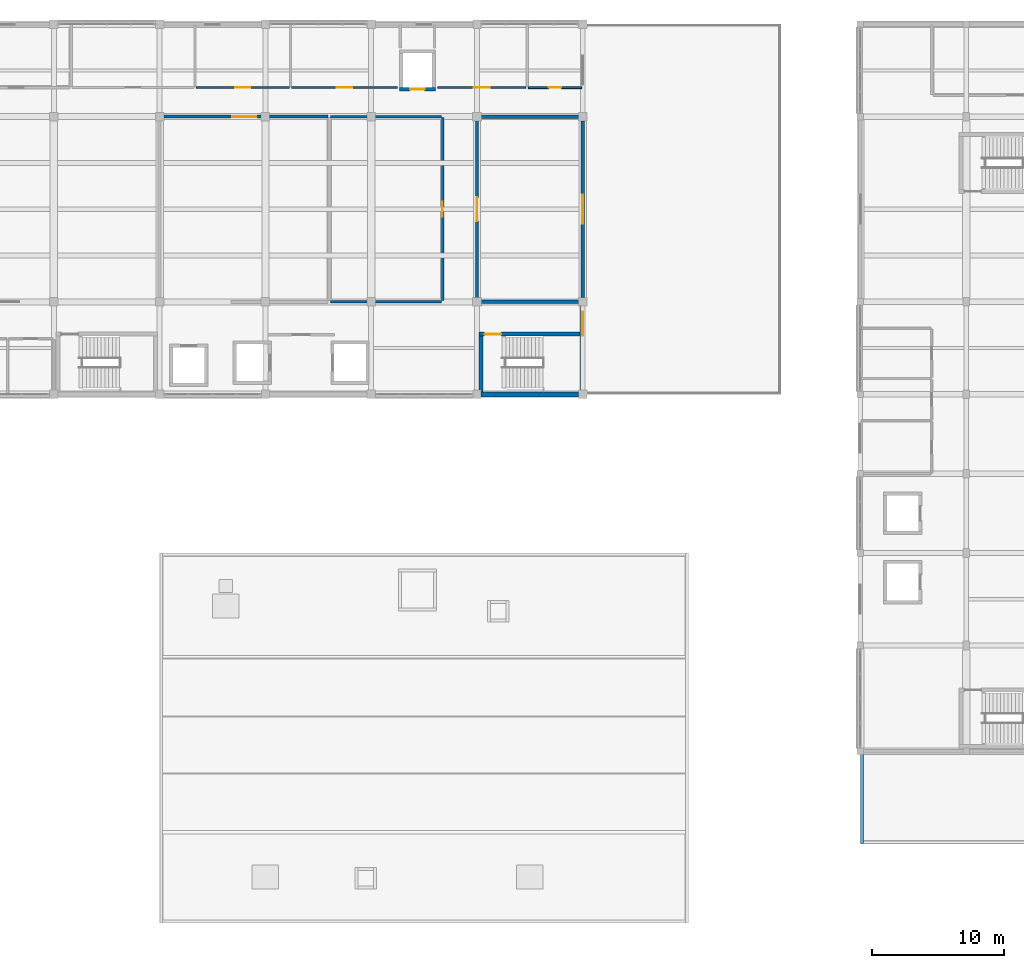
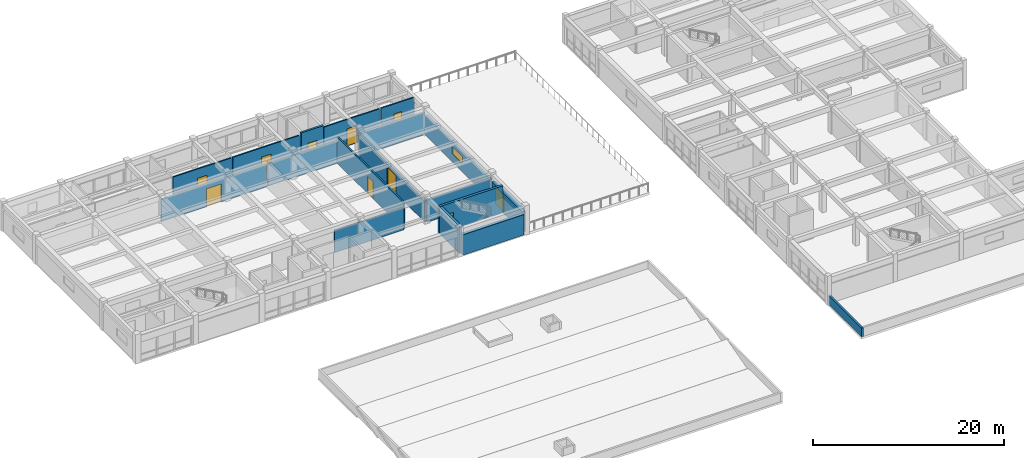
# One storey, part 12 of 22: 18 walls, 10 doors, 1 window, 11 openings.
"""IFC4 building model written with IfcOpenShell, lengths in metres."""

from ifc_helpers import new_model, si_unit, direction, frame, frame_2d, origin, place, context, subcontext, project, spatial, rectangle, extrude, material, layer, layer_set, type_object, element, fill, save


model = new_model("IFC4")

# Units and contexts
model_context = context("Model", 3, precision=1e-05, world=origin(), true_north=direction((0.0, 1.0)))
body_context = subcontext(model_context, "Body", "Model", "MODEL_VIEW")
ifc_project = project(units=[si_unit("LENGTHUNIT", "METRE"), si_unit("AREAUNIT", "SQUARE_METRE"), si_unit("VOLUMEUNIT", "CUBIC_METRE"), si_unit("PLANEANGLEUNIT", "RADIAN"), si_unit("MASSUNIT", "GRAM", prefix="KILO")], contexts=[model_context])

# Site, building, storey
site_placement = place(None, origin())
site = spatial("IfcSite", under=ifc_project, at=site_placement, CompositionType="ELEMENT")
building_placement = place(site_placement, origin())
building = spatial("IfcBuilding", under=site, at=building_placement, Name="Naurynzar Civic Courthouse", CompositionType="ELEMENT")
storey_placement = place(building_placement, frame((0.0, 0.0, 25.800048828125)))
storey = spatial("IfcBuildingStorey", under=building, at=storey_placement, Name="L07", CompositionType="ELEMENT", Elevation=25.800048828125)

# Wall, opening, door
ifc_material_1 = material(Name="Acoustic Double-Stud Gypsum Partition")
ifc_layer_1 = layer(ifc_material_1, 0.22998046875)
ifc_layer_set_1 = layer_set([ifc_layer_1], Name="WL-ACOUSTIC-230")
wall_type_1 = type_object("IfcWallType", Name="WL-ACOUSTIC-230", PredefinedType="PARTITIONING", material=ifc_layer_set_1)
wall_1_placement = place(storey_placement, frame((77.070068359375, 65.0, 0.0), z_axis=(0.0, 0.0, 1.0), x_axis=(1.0, 0.0, 0.0)))
wall_1 = element("IfcWall", 1, at=wall_1_placement, inside=storey, type_object=wall_type_1, Name="V2 interior partition L07.733", PredefinedType="PARTITIONING", context=body_context, shape_type="SweptSolid", body=[
    extrude(rectangle(XDim=12.679931640625, YDim=0.22998046875, at=frame_2d((6.33984375, 0.0))), origin(), (0.0, 0.0, 1.0), 2.820068359375),
])
opening_1_placement = place(wall_1_placement, frame((5.43994140625, 0.0, 0.0)))
opening_1 = element("IfcOpeningElement", 2, at=opening_1_placement, cuts=wall_1, Name="Opening D-178", PredefinedType="OPENING", context=body_context, shape_type="SweptSolid", body=[
    extrude(rectangle(XDim=1.800048828125, YDim=2.300048828125, at=frame_2d((0.89990234375, 1.14990234375))), frame((0.0, 0.125, 0.0), z_axis=(0.0, -1.0, 0.0), x_axis=(1.0, 0.0, 0.0)), (0.0, 0.0, 1.0), 0.25),
])
ifc_material_2 = material(Name="Acoustic Oak Timber Grade A", Category="wood")
door_type_1 = type_object("IfcDoorType", Name="DR-COURT-DBL-1800x2300", OperationType="DOUBLE_DOOR_SINGLE_SWING", PredefinedType="DOOR", material=ifc_material_2)
door_1_placement = place(opening_1_placement, origin())
door_1 = element("IfcDoor", 3, at=door_1_placement, inside=storey, type_object=door_type_1, Name="Interior door D-178 (Economic Courtroom 7B)", OperationType="DOUBLE_DOOR_SINGLE_SWING", OverallHeight=2.300048828125, OverallWidth=1.800048828125, PredefinedType="DOOR", context=body_context, shape_type="SweptSolid", body=[
    extrude(rectangle(XDim=1.800048828125, YDim=2.300048828125, at=frame_2d((0.89990234375, 1.14990234375))), frame((0.0, 0.02490234375, 0.0), z_axis=(0.0, -1.0, 0.0), x_axis=(1.0, 0.0, 0.0)), (0.0, 0.0, 1.0), 0.050048828125),
])
fill(opening_1, door_1)

# Walls
ifc_material_3 = material(Name="Acoustic Double-Stud Gypsum Partition")
ifc_layer_2 = layer(ifc_material_3, 0.2451171875)
ifc_layer_set_2 = layer_set([ifc_layer_2], Name="WL-ACOUSTIC-245")
wall_type_2 = type_object("IfcWallType", Name="WL-ACOUSTIC-245", PredefinedType="PARTITIONING", material=ifc_layer_set_2)
for number, where, z_axis, x_axis, name in (
    (4, (101.080078125, 51.0, 0.0), (0.0, 0.0, 1.0), (1.0, 0.0, 0.0), "V2 interior partition L07.729"),
    (5, (101.080078125, 65.0, 0.0), (0.0, 0.0, 1.0), (1.0, 0.0, 0.0), "V2 interior partition L07.735"),
):
    element("IfcWall", number, at=place(storey_placement, frame(where, z_axis=z_axis, x_axis=x_axis)), inside=storey, type_object=wall_type_2, Name=name, PredefinedType="PARTITIONING", context=body_context, shape_type="SweptSolid", body=[
        extrude(rectangle(XDim=7.83984375, YDim=0.2451171875, at=frame_2d((3.919921875, 0.0))), origin(), (0.0, 0.0, 1.0), 2.820068359375),
    ])

# Wall, opening, door
wall_2_placement = place(storey_placement, frame((101.0, 51.080078125, 0.0), z_axis=(0.0, 0.0, 1.0), x_axis=(0.0, 1.0, 0.0)))
wall_2 = element("IfcWall", 6, at=wall_2_placement, inside=storey, type_object=wall_type_2, Name="V2 interior partition L07.754", PredefinedType="PARTITIONING", context=body_context, shape_type="SweptSolid", body=[
    extrude(rectangle(XDim=13.83984375, YDim=0.2451171875, at=frame_2d((6.919921875, 0.0))), origin(), (0.0, 0.0, 1.0), 2.619873046875),
])
opening_2_placement = place(wall_2_placement, frame((6.02001953125, 0.0, 0.0)))
opening_2 = element("IfcOpeningElement", 7, at=opening_2_placement, cuts=wall_2, Name="Opening D-180", PredefinedType="OPENING", context=body_context, shape_type="SweptSolid", body=[
    extrude(rectangle(XDim=1.800048828125, YDim=2.300048828125, at=frame_2d((0.89990234375, 1.14990234375))), frame((0.0, 0.132568359375, 0.0), z_axis=(0.0, -1.0, 0.0), x_axis=(1.0, 0.0, 0.0)), (0.0, 0.0, 1.0), 0.26513671875),
])
door_2_placement = place(opening_2_placement, origin())
door_2 = element("IfcDoor", 8, at=door_2_placement, inside=storey, type_object=door_type_1, Name="Interior door D-180 (Civil Chamber Courtroom L07-E)", OperationType="DOUBLE_DOOR_SINGLE_SWING", OverallHeight=2.300048828125, OverallWidth=1.800048828125, PredefinedType="DOOR", context=body_context, shape_type="SweptSolid", body=[
    extrude(rectangle(XDim=1.800048828125, YDim=2.300048828125, at=frame_2d((0.89990234375, 1.14990234375))), frame((0.0, 0.02490234375, 0.0), z_axis=(0.0, -1.0, 0.0), x_axis=(1.0, 0.0, 0.0)), (0.0, 0.0, 1.0), 0.050048828125),
])
fill(opening_2, door_2)

ifc_material_4 = material(Name="Concrete C40/50", Category="concrete")
ifc_layer_3 = layer(ifc_material_4, 0.300048828125)
ifc_layer_set_3 = layer_set([ifc_layer_3], Name="WL-CORE-300")
wall_type_3 = type_object("IfcWallType", Name="WL-CORE-300", PredefinedType="SHEAR", material=ifc_layer_set_3)
wall_3_placement = place(storey_placement, frame((108.804931640625, 48.550048828125, 0.0), z_axis=(0.0, 0.0, 1.0), x_axis=(-1.0, 0.0, 0.0)))
wall_3 = element("IfcWall", 9, at=wall_3_placement, inside=storey, type_object=wall_type_3, Name="Stair ST-V2B enclosure wall north L07", PredefinedType="SHEAR", context=body_context, shape_type="SweptSolid", body=[
    extrude(rectangle(XDim=7.655029296875, YDim=0.300048828125, at=frame_2d((3.82763671875, 0.0))), origin(), (0.0, 0.0, 1.0), 3.469970703125),
])
opening_3_placement = place(wall_3_placement, frame((5.97998046875, 0.0, 0.0)))
opening_3 = element("IfcOpeningElement", 10, at=opening_3_placement, cuts=wall_3, Name="Opening SD-041", PredefinedType="OPENING", context=body_context, shape_type="SweptSolid", body=[
    extrude(rectangle(XDim=1.25, YDim=2.14990234375, at=frame_2d((0.625, 1.074951171875))), frame((0.0, 0.159912109375, 0.0), z_axis=(0.0, -1.0, 0.0), x_axis=(1.0, 0.0, 0.0)), (0.0, 0.0, 1.0), 0.320068359375),
])
ifc_material_5 = material(Name="Powder-Coated Galvanised Steel", Category="steel")
door_type_2 = type_object("IfcDoorType", Name="DR-STAIR-1250x2150", OperationType="NOTDEFINED", PredefinedType="DOOR", material=ifc_material_5)
door_3_placement = place(opening_3_placement, origin())
door_3 = element("IfcDoor", 11, at=door_3_placement, inside=storey, type_object=door_type_2, Name="Stair ST-V2B fire door L07", OperationType="SINGLE_SWING_LEFT", OverallHeight=2.14990234375, OverallWidth=1.25, PredefinedType="DOOR", context=body_context, shape_type="SweptSolid", body=[
    extrude(rectangle(XDim=1.25, YDim=2.14990234375, at=frame_2d((0.625, 1.074951171875))), frame((0.0, 0.02490234375, 0.0), z_axis=(0.0, -1.0, 0.0), x_axis=(1.0, 0.0, 0.0)), (0.0, 0.0, 1.0), 0.050048828125),
])
fill(opening_3, door_3)

# Wall
wall_4_placement = place(storey_placement, frame((101.300048828125, 48.39501953125, 0.0), z_axis=(0.0, 0.0, 1.0), x_axis=(0.0, -1.0, 0.0)))
element("IfcWall", 12, at=wall_4_placement, inside=storey, type_object=wall_type_3, Name="Stair ST-V2B enclosure wall west L07", PredefinedType="SHEAR", context=body_context, shape_type="SweptSolid", body=[
    extrude(rectangle(XDim=4.199951171875, YDim=0.300048828125, at=frame_2d((2.10009765625, 0.0))), origin(), (0.0, 0.0, 1.0), 3.469970703125),
])

# Wall, opening, window
ifc_material_6 = material(Name="Precast concrete C40/50", Category="concrete")
ifc_layer_4 = layer(ifc_material_6, 0.280029296875)
ifc_layer_set_4 = layer_set([ifc_layer_4], Name="WL-EXT-280")
wall_type_4 = type_object("IfcWallType", Name="WL-EXT-280", PredefinedType="SOLIDWALL", material=ifc_layer_set_4)
wall_5_placement = place(storey_placement, frame((109.0, 64.6875, 0.0), z_axis=(0.0, 0.0, 1.0), x_axis=(0.0, -1.0, 0.0)))
wall_5 = element("IfcWall", 13, at=wall_5_placement, inside=storey, type_object=wall_type_4, Name="V2 exterior wall east L07.2.1", PredefinedType="SOLIDWALL", context=body_context, shape_type="SweptSolid", body=[
    extrude(rectangle(XDim=13.375, YDim=0.280029296875, at=frame_2d((6.6875, 0.0))), origin(), (0.0, 0.0, 1.0), 2.599853515625),
])
opening_4_placement = place(wall_5_placement, frame((5.58740234375, 0.0, 1.0)))
opening_4 = element("IfcOpeningElement", 14, at=opening_4_placement, cuts=wall_5, Name="Opening WN-18", PredefinedType="OPENING", context=body_context, shape_type="SweptSolid", body=[
    extrude(rectangle(XDim=2.199951171875, YDim=1.0, at=frame_2d((1.10009765625, 0.5))), frame((0.0, 0.14990234375, 0.0), z_axis=(0.0, -1.0, 0.0), x_axis=(1.0, 0.0, 0.0)), (0.0, 0.0, 1.0), 0.300048828125),
])
ifc_material_7 = material(Name="Tempered Laminated Low-E Glass", Category="glass")
window_type = type_object("IfcWindowType", Name="WIN-CLER-2200x1000", PartitioningType="DOUBLE_PANEL_VERTICAL", PredefinedType="WINDOW", material=ifc_material_7)
window_placement = place(opening_4_placement, origin())
window = element("IfcWindow", 15, at=window_placement, inside=storey, type_object=window_type, Name="V2 window 113 L07", OverallHeight=1.0, OverallWidth=2.199951171875, PartitioningType="SINGLE_PANEL", PredefinedType="WINDOW", context=body_context, shape_type="SweptSolid", body=[
    extrude(rectangle(XDim=2.199951171875, YDim=1.0, at=frame_2d((1.10009765625, 0.5))), frame((0.0, 0.030029296875, 0.0), z_axis=(0.0, -1.0, 0.0), x_axis=(1.0, 0.0, 0.0)), (0.0, 0.0, 1.0), 0.06005859375),
])
fill(opening_4, window)

# Wall
ifc_material_8 = material(Name="Precast concrete C40/50", Category="concrete")
ifc_layer_5 = layer(ifc_material_8, 0.219970703125)
ifc_layer_set_5 = layer_set([ifc_layer_5], Name="WL-PARA-220")
wall_type_5 = type_object("IfcWallType", Name="WL-PARA-220", PredefinedType="PARAPET", material=ifc_layer_set_5)
wall_6_placement = place(storey_placement, frame((130.1201171875, 10.010009765625, 0.0), z_axis=(0.0, 0.0, 1.0), x_axis=(0.0, 1.0, 0.0)))
element("IfcWall", 16, at=wall_6_placement, inside=storey, type_object=wall_type_5, Name="Roof perimeter parapet V5-S7.16", PredefinedType="PARAPET", context=body_context, shape_type="SweptSolid", body=[
    extrude(rectangle(XDim=6.97998046875, YDim=0.219970703125, at=frame_2d((3.489990234375, 0.0))), origin(), (0.0, 0.0, 1.0), 1.119873046875),
])

# Wall, opening, door
ifc_material_9 = material(Name="Insulated Metal-Stud Gypsum Partition")
ifc_layer_6 = layer(ifc_material_9, 0.159912109375)
ifc_layer_set_6 = layer_set([ifc_layer_6], Name="WL-PART-CHAMB-160")
wall_type_6 = type_object("IfcWallType", Name="WL-PART-CHAMB-160", PredefinedType="PARTITIONING", material=ifc_layer_set_6)
wall_7_placement = place(storey_placement, frame((79.760009765625, 67.199951171875, 0.0), z_axis=(0.0, 0.0, 1.0), x_axis=(1.0, 0.0, 0.0)))
wall_7 = element("IfcWall", 17, at=wall_7_placement, inside=storey, type_object=wall_type_6, Name="V2 interior partition L07.740", PredefinedType="PARTITIONING", context=body_context, shape_type="SweptSolid", body=[
    extrude(rectangle(XDim=7.06005859375, YDim=0.159912109375, at=frame_2d((3.530029296875, 0.0))), origin(), (0.0, 0.0, 1.0), 3.389892578125),
])
opening_5_placement = place(wall_7_placement, frame((2.9599609375, 0.0, 0.0)))
opening_5 = element("IfcOpeningElement", 18, at=opening_5_placement, cuts=wall_7, Name="Opening D-183", PredefinedType="OPENING", context=body_context, shape_type="SweptSolid", body=[
    extrude(rectangle(XDim=1.139892578125, YDim=2.199951171875, at=frame_2d((0.56982421875, 1.10009765625))), frame((0.0, 0.08984375, 0.0), z_axis=(0.0, -1.0, 0.0), x_axis=(1.0, 0.0, 0.0)), (0.0, 0.0, 1.0), 0.179931640625),
])
ifc_material_10 = material(Name="Acoustic Oak Timber Grade A", Category="wood")
door_type_3 = type_object("IfcDoorType", Name="DR-SUITE-1140x2200", OperationType="NOTDEFINED", PredefinedType="DOOR", material=ifc_material_10)
door_4_placement = place(opening_5_placement, origin())
door_4 = element("IfcDoor", 19, at=door_4_placement, inside=storey, type_object=door_type_3, Name="Interior door D-183 (Judges' Chambers L07-3)", OperationType="SINGLE_SWING_LEFT", OverallHeight=2.199951171875, OverallWidth=1.139892578125, PredefinedType="DOOR", context=body_context, shape_type="SweptSolid", body=[
    extrude(rectangle(XDim=1.139892578125, YDim=2.199951171875, at=frame_2d((0.56982421875, 1.10009765625))), frame((0.0, 0.02490234375, 0.0), z_axis=(0.0, -1.0, 0.0), x_axis=(1.0, 0.0, 0.0)), (0.0, 0.0, 1.0), 0.050048828125),
])
fill(opening_5, door_4)

wall_8_placement = place(storey_placement, frame((86.97998046875, 67.199951171875, 0.0), z_axis=(0.0, 0.0, 1.0), x_axis=(1.0, 0.0, 0.0)))
wall_8 = element("IfcWall", 20, at=wall_8_placement, inside=storey, type_object=wall_type_6, Name="V2 interior partition L07.741", PredefinedType="PARTITIONING", context=body_context, shape_type="SweptSolid", body=[
    extrude(rectangle(XDim=8.02001953125, YDim=0.159912109375, at=frame_2d((4.010009765625, 0.0))), origin(), (0.0, 0.0, 1.0), 3.389892578125),
])
opening_6_placement = place(wall_8_placement, frame((3.419921875, 0.0, 0.0)))
opening_6 = element("IfcOpeningElement", 21, at=opening_6_placement, cuts=wall_8, Name="Opening D-184", PredefinedType="OPENING", context=body_context, shape_type="SweptSolid", body=[
    extrude(rectangle(XDim=1.179931640625, YDim=2.199951171875, at=frame_2d((0.58984375, 1.10009765625))), frame((0.0, 0.08984375, 0.0), z_axis=(0.0, -1.0, 0.0), x_axis=(1.0, 0.0, 0.0)), (0.0, 0.0, 1.0), 0.179931640625),
])
ifc_material_11 = material(Name="Acoustic Oak Timber Grade A", Category="wood")
door_type_4 = type_object("IfcDoorType", Name="DR-SUITE-1180x2200", OperationType="NOTDEFINED", PredefinedType="DOOR", material=ifc_material_11)
door_5_placement = place(opening_6_placement, origin())
door_5 = element("IfcDoor", 22, at=door_5_placement, inside=storey, type_object=door_type_4, Name="Interior door D-184 (Judges' Chambers L07-4)", OperationType="SINGLE_SWING_RIGHT", OverallHeight=2.199951171875, OverallWidth=1.179931640625, PredefinedType="DOOR", context=body_context, shape_type="SweptSolid", body=[
    extrude(rectangle(XDim=1.179931640625, YDim=2.199951171875, at=frame_2d((0.58984375, 1.10009765625))), frame((0.0, 0.02490234375, 0.0), z_axis=(0.0, -1.0, 0.0), x_axis=(1.0, 0.0, 0.0)), (0.0, 0.0, 1.0), 0.050048828125),
])
fill(opening_6, door_5)

wall_9_placement = place(storey_placement, frame((98.0, 67.199951171875, 0.0), z_axis=(0.0, 0.0, 1.0), x_axis=(1.0, 0.0, 0.0)))
wall_9 = element("IfcWall", 23, at=wall_9_placement, inside=storey, type_object=wall_type_6, Name="V2 interior partition L07.742", PredefinedType="PARTITIONING", context=body_context, shape_type="SweptSolid", body=[
    extrude(rectangle(XDim=6.719970703125, YDim=0.159912109375, at=frame_2d((3.35986328125, 0.0))), origin(), (0.0, 0.0, 1.0), 3.389892578125),
])
opening_7_placement = place(wall_9_placement, frame((2.75, 0.0, 0.0)))
opening_7 = element("IfcOpeningElement", 24, at=opening_7_placement, cuts=wall_9, Name="Opening D-185", PredefinedType="OPENING", context=body_context, shape_type="SweptSolid", body=[
    extrude(rectangle(XDim=1.219970703125, YDim=2.199951171875, at=frame_2d((0.60986328125, 1.10009765625))), frame((0.0, 0.08984375, 0.0), z_axis=(0.0, -1.0, 0.0), x_axis=(1.0, 0.0, 0.0)), (0.0, 0.0, 1.0), 0.179931640625),
])
ifc_material_12 = material(Name="Acoustic Oak Timber Grade A", Category="wood")
door_type_5 = type_object("IfcDoorType", Name="DR-SUITE-1220x2200", OperationType="NOTDEFINED", PredefinedType="DOOR", material=ifc_material_12)
door_6_placement = place(opening_7_placement, origin())
door_6 = element("IfcDoor", 25, at=door_6_placement, inside=storey, type_object=door_type_5, Name="Interior door D-185 (Senior Judges' Chambers L07-E)", OperationType="SINGLE_SWING_LEFT", OverallHeight=2.199951171875, OverallWidth=1.219970703125, PredefinedType="DOOR", context=body_context, shape_type="SweptSolid", body=[
    extrude(rectangle(XDim=1.219970703125, YDim=2.199951171875, at=frame_2d((0.60986328125, 1.10009765625))), frame((0.0, 0.02490234375, 0.0), z_axis=(0.0, -1.0, 0.0), x_axis=(1.0, 0.0, 0.0)), (0.0, 0.0, 1.0), 0.050048828125),
])
fill(opening_7, door_6)

# Walls
ifc_material_13 = material(Name="Acoustic Double-Stud Gypsum Partition")
ifc_layer_7 = layer(ifc_material_13, 0.179931640625)
ifc_layer_set_7 = layer_set([ifc_layer_7], Name="WL-PART-JURY-180")
wall_type_7 = type_object("IfcWallType", Name="WL-PART-JURY-180", PredefinedType="PARTITIONING", material=ifc_layer_set_7)
for number, where, z_axis, x_axis, name in (
    (26, (89.909912109375, 51.0, 0.0), (0.0, 0.0, 1.0), (1.0, 0.0, 0.0), "V2 interior partition L07.728"),
    (27, (89.909912109375, 65.0, 0.0), (0.0, 0.0, 1.0), (1.0, 0.0, 0.0), "V2 interior partition L07.734"),
):
    element("IfcWall", number, at=place(storey_placement, frame(where, z_axis=z_axis, x_axis=x_axis)), inside=storey, type_object=wall_type_7, Name=name, PredefinedType="PARTITIONING", context=body_context, shape_type="SweptSolid", body=[
        extrude(rectangle(XDim=8.41015625, YDim=0.179931640625, at=frame_2d((4.205078125, 0.0))), origin(), (0.0, 0.0, 1.0), 2.820068359375),
    ])

# Wall, opening, door
wall_10_placement = place(storey_placement, frame((98.39990234375, 51.080078125, 0.0), z_axis=(0.0, 0.0, 1.0), x_axis=(0.0, 1.0, 0.0)))
wall_10 = element("IfcWall", 28, at=wall_10_placement, inside=storey, type_object=wall_type_7, Name="V2 interior partition L07.753", PredefinedType="PARTITIONING", context=body_context, shape_type="SweptSolid", body=[
    extrude(rectangle(XDim=13.83984375, YDim=0.179931640625, at=frame_2d((6.919921875, 0.0))), origin(), (0.0, 0.0, 1.0), 3.389892578125),
])
opening_8_placement = place(wall_10_placement, frame((6.344970703125, 0.0, 0.0)))
opening_8 = element("IfcOpeningElement", 29, at=opening_8_placement, cuts=wall_10, Name="Opening D-179", PredefinedType="OPENING", context=body_context, shape_type="SweptSolid", body=[
    extrude(rectangle(XDim=1.14990234375, YDim=2.199951171875, at=frame_2d((0.574951171875, 1.10009765625))), frame((0.0, 0.099853515625, 0.0), z_axis=(0.0, -1.0, 0.0), x_axis=(1.0, 0.0, 0.0)), (0.0, 0.0, 1.0), 0.199951171875),
])
ifc_material_14 = material(Name="Acoustic Oak Timber Grade A", Category="wood")
door_type_6 = type_object("IfcDoorType", Name="DR-JURY-1150x2200", OperationType="NOTDEFINED", PredefinedType="DOOR", material=ifc_material_14)
door_7_placement = place(opening_8_placement, origin())
door_7 = element("IfcDoor", 30, at=door_7_placement, inside=storey, type_object=door_type_6, Name="Interior door D-179 (Jury Room 7A)", OperationType="SINGLE_SWING_LEFT", OverallHeight=2.199951171875, OverallWidth=1.14990234375, PredefinedType="DOOR", context=body_context, shape_type="SweptSolid", body=[
    extrude(rectangle(XDim=1.14990234375, YDim=2.199951171875, at=frame_2d((0.574951171875, 1.10009765625))), frame((0.0, 0.02490234375, 0.0), z_axis=(0.0, -1.0, 0.0), x_axis=(1.0, 0.0, 0.0)), (0.0, 0.0, 1.0), 0.050048828125),
])
fill(opening_8, door_7)

ifc_material_15 = material(Name="Moisture-Resistant Plumbing Partition")
ifc_layer_8 = layer(ifc_material_15, 0.139892578125)
ifc_layer_set_8 = layer_set([ifc_layer_8], Name="WL-PART-WC-140")
wall_type_8 = type_object("IfcWallType", Name="WL-PART-WC-140", PredefinedType="PLUMBINGWALL", material=ifc_layer_set_8)
wall_11_placement = place(storey_placement, frame((104.8798828125, 67.199951171875, 0.0), z_axis=(0.0, 0.0, 1.0), x_axis=(1.0, 0.0, 0.0)))
wall_11 = element("IfcWall", 31, at=wall_11_placement, inside=storey, type_object=wall_type_8, Name="V2 interior partition L07.743", PredefinedType="PLUMBINGWALL", context=body_context, shape_type="SweptSolid", body=[
    extrude(rectangle(XDim=4.0400390625, YDim=0.139892578125, at=frame_2d((2.02001953125, 0.0))), origin(), (0.0, 0.0, 1.0), 3.389892578125),
])
opening_9_placement = place(wall_11_placement, frame((1.56005859375, 0.0, 0.0)))
opening_9 = element("IfcOpeningElement", 32, at=opening_9_placement, cuts=wall_11, Name="Opening D-186", PredefinedType="OPENING", context=body_context, shape_type="SweptSolid", body=[
    extrude(rectangle(XDim=0.919921875, YDim=2.10009765625, at=frame_2d((0.4599609375, 1.050048828125))), frame((0.0, 0.079833984375, 0.0), z_axis=(0.0, -1.0, 0.0), x_axis=(1.0, 0.0, 0.0)), (0.0, 0.0, 1.0), 0.159912109375),
])
ifc_material_16 = material(Name="Acoustic Oak Timber Grade A", Category="wood")
door_type_7 = type_object("IfcDoorType", Name="DR-WC-STD-920x2100", OperationType="NOTDEFINED", PredefinedType="DOOR", material=ifc_material_16)
door_8_placement = place(opening_9_placement, origin())
door_8 = element("IfcDoor", 33, at=door_8_placement, inside=storey, type_object=door_type_7, Name="Interior door D-186 (Judicial Staff WC V2)", OperationType="SINGLE_SWING_RIGHT", OverallHeight=2.10009765625, OverallWidth=0.919921875, PredefinedType="DOOR", context=body_context, shape_type="SweptSolid", body=[
    extrude(rectangle(XDim=0.919921875, YDim=2.10009765625, at=frame_2d((0.4599609375, 1.050048828125))), frame((0.0, 0.02490234375, 0.0), z_axis=(0.0, -1.0, 0.0), x_axis=(1.0, 0.0, 0.0)), (0.0, 0.0, 1.0), 0.050048828125),
])
fill(opening_9, door_8)

ifc_material_17 = material(Name="Concrete C40/50", Category="concrete")
ifc_layer_9 = layer(ifc_material_17, 0.3798828125)
ifc_layer_set_9 = layer_set([ifc_layer_9], Name="WL-RET-380")
wall_type_9 = type_object("IfcWallType", Name="WL-RET-380", PredefinedType="STANDARD", material=ifc_layer_set_9)
wall_12_placement = place(storey_placement, frame((109.0, 50.6875, 0.0), z_axis=(0.0, 0.0, 1.0), x_axis=(0.0, -1.0, 0.0)))
wall_12 = element("IfcWall", 34, at=wall_12_placement, inside=storey, type_object=wall_type_9, Name="V2 exterior wall east L07.3.1", PredefinedType="STANDARD", context=body_context, shape_type="SweptSolid", body=[
    extrude(rectangle(XDim=6.375, YDim=0.3798828125, at=frame_2d((3.1875, 0.0))), origin(), (0.0, 0.0, 1.0), 2.599853515625),
])
opening_10_placement = place(wall_12_placement, frame((0.449951171875, 0.0, 0.0)))
opening_10 = element("IfcOpeningElement", 35, at=opening_10_placement, cuts=wall_12, Name="Opening TD-01", PredefinedType="OPENING", context=body_context, shape_type="SweptSolid", body=[
    extrude(rectangle(XDim=1.800048828125, YDim=2.199951171875, at=frame_2d((0.89990234375, 1.10009765625))), frame((0.0, 0.199951171875, 0.0), z_axis=(0.0, -1.0, 0.0), x_axis=(1.0, 0.0, 0.0)), (0.0, 0.0, 1.0), 0.39990234375),
])
ifc_material_18 = material(Name="Aluminium 6063-T6", Category="aluminium")
door_type_8 = type_object("IfcDoorType", Name="DR-TERR-1800x2200", OperationType="DOUBLE_DOOR_SINGLE_SWING", PredefinedType="DOOR", material=ifc_material_18)
door_9_placement = place(opening_10_placement, origin())
door_9 = element("IfcDoor", 36, at=door_9_placement, inside=storey, type_object=door_type_8, Name="Roof garden terrace door TD-01", OperationType="DOUBLE_DOOR_SINGLE_SWING", OverallHeight=2.199951171875, OverallWidth=1.800048828125, PredefinedType="DOOR", context=body_context, shape_type="SweptSolid", body=[
    extrude(rectangle(XDim=1.800048828125, YDim=2.199951171875, at=frame_2d((0.89990234375, 1.10009765625))), frame((0.0, 0.02490234375, 0.0), z_axis=(0.0, -1.0, 0.0), x_axis=(1.0, 0.0, 0.0)), (0.0, 0.0, 1.0), 0.050048828125),
])
fill(opening_10, door_9)

# Wall
wall_13_placement = place(storey_placement, frame((108.6875, 44.0, 0.0), z_axis=(0.0, 0.0, 1.0), x_axis=(-1.0, 0.0, 0.0)))
element("IfcWall", 37, at=wall_13_placement, inside=storey, type_object=wall_type_9, Name="V2 exterior wall south L07.1.1", PredefinedType="STANDARD", context=body_context, shape_type="SweptSolid", body=[
    extrude(rectangle(XDim=7.375, YDim=0.3798828125, at=frame_2d((3.6875, 0.0))), origin(), (0.0, 0.0, 1.0), 2.599853515625),
])

# Wall, opening, door
ifc_material_19 = material(Name="Concrete C40/50", Category="concrete")
ifc_layer_10 = layer(ifc_material_19, 0.25)
ifc_layer_set_10 = layer_set([ifc_layer_10], Name="WL-SHAFT-250")
wall_type_10 = type_object("IfcWallType", Name="WL-SHAFT-250", PredefinedType="SHEAR", material=ifc_layer_set_10)
wall_14_placement = place(storey_placement, frame((95.14990234375, 67.074951171875, 0.0), z_axis=(0.0, 0.0, 1.0), x_axis=(1.0, 0.0, 0.0)))
wall_14 = element("IfcWall", 38, at=wall_14_placement, inside=storey, type_object=wall_type_10, Name="Lift LJ-02 shaft wall south L07", PredefinedType="SHEAR", context=body_context, shape_type="SweptSolid", body=[
    extrude(rectangle(XDim=2.7001953125, YDim=0.25, at=frame_2d((1.35009765625, 0.0))), origin(), (0.0, 0.0, 1.0), 3.75),
])
opening_11_placement = place(wall_14_placement, frame((0.800048828125, 0.0, 0.0)))
opening_11 = element("IfcOpeningElement", 39, at=opening_11_placement, cuts=wall_14, Name="Opening LD-057", PredefinedType="OPENING", context=body_context, shape_type="SweptSolid", body=[
    extrude(rectangle(XDim=1.10009765625, YDim=2.14990234375, at=frame_2d((0.550048828125, 1.074951171875))), frame((0.0, 0.135009765625, 0.0), z_axis=(0.0, -1.0, 0.0), x_axis=(1.0, 0.0, 0.0)), (0.0, 0.0, 1.0), 0.27001953125),
])
ifc_material_20 = material(Name="Brushed Stainless Steel 304", Category="steel")
door_type_9 = type_object("IfcDoorType", Name="DR-LIFT-SLIDE-1100x2150", OperationType="DOUBLE_DOOR_SLIDING", PredefinedType="DOOR", material=ifc_material_20)
door_10_placement = place(opening_11_placement, origin())
door_10 = element("IfcDoor", 40, at=door_10_placement, inside=storey, type_object=door_type_9, Name="Lift LJ-02 sliding landing door L07", OperationType="DOUBLE_DOOR_SLIDING", OverallHeight=2.14990234375, OverallWidth=1.10009765625, PredefinedType="DOOR", context=body_context, shape_type="SweptSolid", body=[
    extrude(rectangle(XDim=1.10009765625, YDim=2.14990234375, at=frame_2d((0.550048828125, 1.074951171875))), frame((0.0, 0.02490234375, 0.0), z_axis=(0.0, -1.0, 0.0), x_axis=(1.0, 0.0, 0.0)), (0.0, 0.0, 1.0), 0.050048828125),
])
fill(opening_11, door_10)

save(model, "model.ifc")
